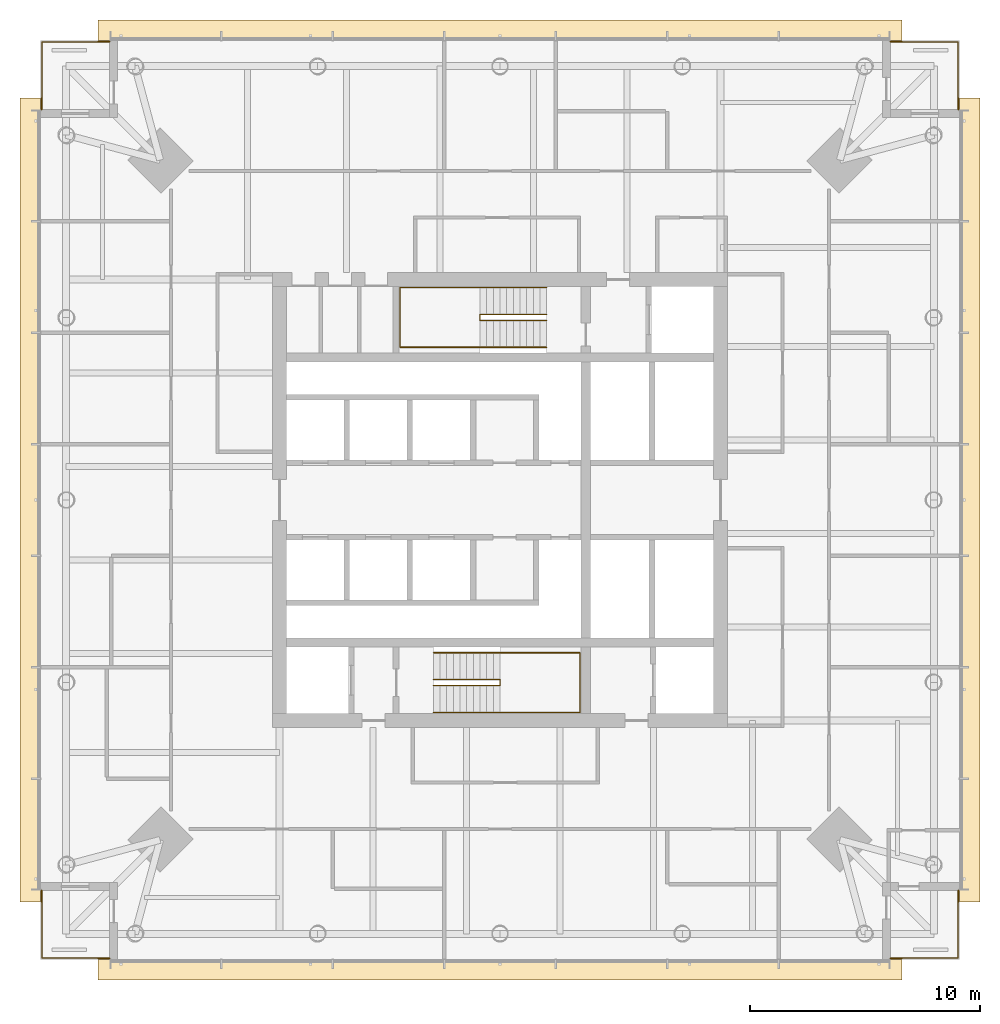
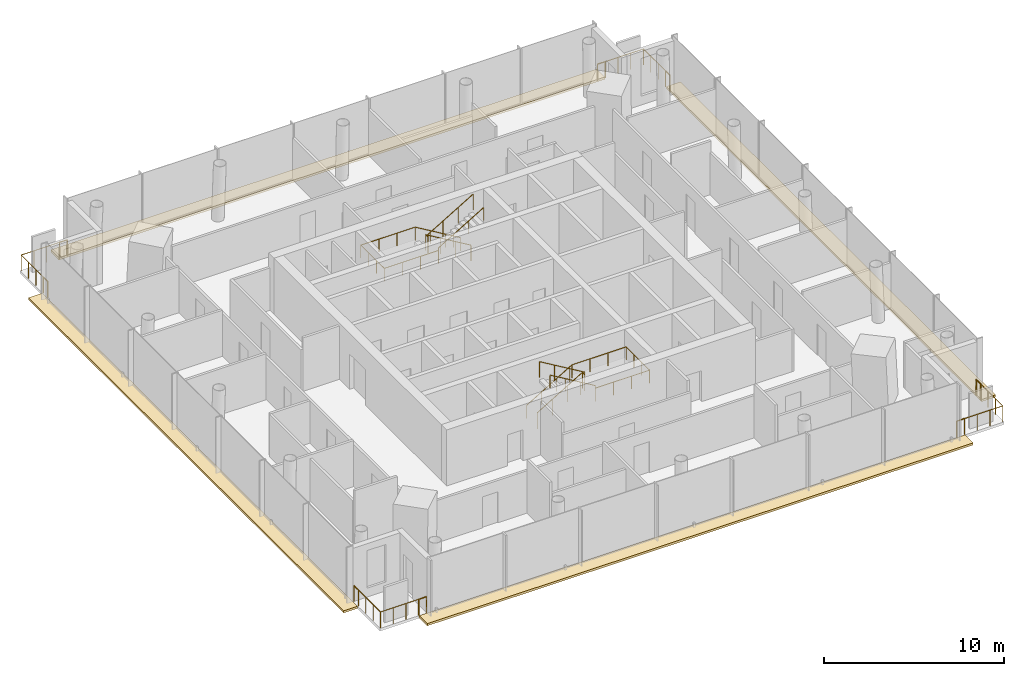
# One storey, part 10 of 10: 16 railings, 4 coverings.
"""IFC4 building model written with IfcOpenShell, lengths in metres."""

import ifcopenshell
import ifcopenshell.guid

model = None  # the IFC model being written
_history = None  # IfcOwnerHistory: only IFC2X3 demands one
_inside = {}  # id of a spatial element -> (the spatial element, [elements in it])
_under = {}  # id of a project, library or spatial element -> (it, [spatial elements below it])
_declared = {}  # id of a project -> (the project, [libraries it declares])
_typed = {}  # id of a type object -> (the type object, [elements of that type])
_made_of = {}  # id of a material, layer set ... -> (it, [elements and type objects made of it])


def new_model(schema):
    """Start an empty IFC model of exactly this schema.

    Asked for "IFC4X3", IfcOpenShell would pick the latest addendum, in which some entities
    have other attributes; the version numbers below select the first issue.
    IFC2X3 requires an IfcOwnerHistory on every rooted entity: one is made here for all.
    """
    global model, _history
    if schema == "IFC4X3":
        model = ifcopenshell.file(schema_version=(4, 3, 0, 0))
    else:
        model = ifcopenshell.file(schema=schema)
    _inside.clear()
    _under.clear()
    _declared.clear()
    _typed.clear()
    _made_of.clear()
    _history = None
    if model.schema == "IFC2X3":
        org = make("IfcOrganization", Name="unknown")
        user = make(
            "IfcPersonAndOrganization",
            ThePerson=make("IfcPerson", FamilyName="unknown"),
            TheOrganization=org,
        )
        app = make(
            "IfcApplication",
            ApplicationDeveloper=org,
            Version="unknown",
            ApplicationFullName="unknown",
            ApplicationIdentifier="unknown",
        )
        _history = make(
            "IfcOwnerHistory",
            OwningUser=user,
            OwningApplication=app,
            ChangeAction="ADDED",
            CreationDate=0,
        )
    return model


def make(cls, **values):
    """One entity of the class cls with the attributes given. An attribute that is None is left unset."""
    return model.create_entity(
        cls, **{name: value for name, value in values.items() if value is not None}
    )


def rooted(cls, **values):
    """An entity with a GlobalId (a new one), such as an element, a storey or a relation."""
    return make(cls, GlobalId=ifcopenshell.guid.new(), OwnerHistory=_history, **values)


def si_unit(unit_type, name, prefix=None):
    """IfcSIUnit, for example si_unit("LENGTHUNIT", "METRE", prefix="MILLI")."""
    return make("IfcSIUnit", UnitType=unit_type, Prefix=prefix, Name=name)


def assignment(units):
    """IfcUnitAssignment: the units of a project."""
    return None if units is None else make("IfcUnitAssignment", Units=units)


def point(xyz):
    """IfcCartesianPoint."""
    return None if xyz is None else make("IfcCartesianPoint", Coordinates=xyz)


def direction(xyz):
    """IfcDirection."""
    return None if xyz is None else make("IfcDirection", DirectionRatios=xyz)


def frame(location, z_axis=None, x_axis=None):
    """IfcAxis2Placement3D, a coordinate frame: its origin and axes. An axis left out is left unset."""
    return make(
        "IfcAxis2Placement3D",
        Location=point(location),
        Axis=direction(z_axis),
        RefDirection=direction(x_axis),
    )


def frame_2d(location, x_axis=None):
    """IfcAxis2Placement2D, a coordinate frame in the plane: its origin and x axis."""
    return make(
        "IfcAxis2Placement2D", Location=point(location), RefDirection=direction(x_axis)
    )


def origin():
    """The frame at (0, 0, 0) with its axes left unset."""
    return frame((0.0, 0.0, 0.0))


def origin_2d():
    """The frame at (0, 0) in the plane with its x axis left unset."""
    return frame_2d((0.0, 0.0))


def place(relative_to, where):
    """IfcLocalPlacement: puts the frame where relative to a parent placement (None: the world)."""
    return make(
        "IfcLocalPlacement", PlacementRelTo=relative_to, RelativePlacement=where
    )


def context(
    kind, dimensions, precision=None, world=None, true_north=None, identifier=None
):
    """IfcGeometricRepresentationContext, for example the 3D "Model" context."""
    return make(
        "IfcGeometricRepresentationContext",
        ContextIdentifier=identifier,
        ContextType=kind,
        CoordinateSpaceDimension=dimensions,
        Precision=precision,
        WorldCoordinateSystem=world,
        TrueNorth=true_north,
    )


def subcontext(parent, identifier, kind, view, scale=None):
    """IfcGeometricRepresentationSubContext, for example "Body" below "Model"."""
    return make(
        "IfcGeometricRepresentationSubContext",
        ContextIdentifier=identifier,
        ContextType=kind,
        ParentContext=parent,
        TargetScale=scale,
        TargetView=view,
    )


def project(units=None, contexts=None):
    """IfcProject with its units and contexts."""
    return rooted(
        "IfcProject",
        Name="project",
        RepresentationContexts=contexts,
        UnitsInContext=assignment(units),
    )


def spatial(cls, under=None, at=None, **own):
    """A site, building, storey or space (cls), placed at a placement, below another one or the project."""
    s = rooted(cls, ObjectPlacement=at, **own)
    if under is not None:
        _under.setdefault(under.id(), (under, []))[1].append(s)
    return s


def polyline(points):
    """IfcPolyline through the points."""
    return make("IfcPolyline", Points=[point(p) for p in points])


def profile(cls, at=None, kind="AREA", **sizes):
    """A parametric profile (cls). Its sizes go by their IFC names, for example OverallWidth=200.0."""
    return make(cls, ProfileType=kind, Position=at, **sizes)


def circle(**sizes):
    """IfcCircleProfileDef."""
    return profile("IfcCircleProfileDef", **sizes)


def outline(outer, holes=None, kind="AREA"):
    """IfcArbitraryClosedProfileDef: a profile drawn as a closed curve; with holes, ...WithVoids."""
    if holes is None:
        return make("IfcArbitraryClosedProfileDef", ProfileType=kind, OuterCurve=outer)
    return make(
        "IfcArbitraryProfileDefWithVoids",
        ProfileType=kind,
        OuterCurve=outer,
        InnerCurves=holes,
    )


def extrude(swept, where, along, depth):
    """IfcExtrudedAreaSolid: the profile swept, set in the frame where, extruded along a direction by depth."""
    return make(
        "IfcExtrudedAreaSolid",
        SweptArea=swept,
        Position=where,
        ExtrudedDirection=direction(along),
        Depth=depth,
    )


def shape(context_of_items, identifier, shape_type, items):
    """IfcShapeRepresentation: the items that make up one representation, for example the "Body"."""
    return make(
        "IfcShapeRepresentation",
        ContextOfItems=context_of_items,
        RepresentationIdentifier=identifier,
        RepresentationType=shape_type,
        Items=items,
    )


def material(Name=None, Category=None):
    """IfcMaterial."""
    return make("IfcMaterial", Name=Name, Category=Category)


def layer(
    of_material, thickness, ventilated=None, Name=None, Category=None, Priority=None
):
    """IfcMaterialLayer: one layer of a wall or slab, of a material (None: an air gap)."""
    return make(
        "IfcMaterialLayer",
        Material=of_material,
        LayerThickness=thickness,
        IsVentilated=ventilated,
        Name=Name,
        Category=Category,
        Priority=Priority,
    )


def layer_set(layers, Name=None):
    """IfcMaterialLayerSet."""
    return make("IfcMaterialLayerSet", MaterialLayers=layers, LayerSetName=Name)


def made_of(thing, what):
    """Note that an element or type object is made of a material, layer set ...; save() writes the relation."""
    if what is not None:
        _made_of.setdefault(what.id(), (what, []))[1].append(thing)
    return thing


def type_object(cls, material=None, **own):
    """A type object (cls), such as IfcWallType, which elements share."""
    return made_of(rooted(cls, **own), material)


def element(
    cls,
    number,
    at=None,
    inside=None,
    cuts=None,
    type_object=None,
    material=None,
    context=None,
    identifier="Body",
    shape_type=None,
    held_by="IfcProductDefinitionShape",
    body=None,
    shapes=None,
    **own,
):
    """One element of the class cls, such as IfcWall. Its Tag is "e" and its number.

    at: its placement. inside: the storey or other place that contains it. cuts: it is an
    opening in that element (IfcRelVoidsElement). A single representation is given by context,
    identifier, shape_type and body (its items); several are given by shapes. held_by: the class
    of the entity that holds the representations. save() writes the other relations.
    """
    e = rooted(cls, Tag="e%d" % number, ObjectPlacement=at, **own)
    if body is not None:
        shapes = [shape(context, identifier, shape_type, body)]
    if shapes is not None:
        e.Representation = make(held_by, Representations=shapes)
    if inside is not None:
        _inside.setdefault(inside.id(), (inside, []))[1].append(e)
    if cuts is not None:
        rooted(
            "IfcRelVoidsElement", RelatingBuildingElement=cuts, RelatedOpeningElement=e
        )
    if type_object is not None:
        _typed.setdefault(type_object.id(), (type_object, []))[1].append(e)
    return made_of(e, material)


def aggregate(whole, parts):
    """IfcRelAggregates: a whole, such as a stair, and the parts it consists of."""
    return rooted("IfcRelAggregates", RelatingObject=whole, RelatedObjects=parts)


def save(model, path):
    """Write the relations noted so far, then the file.

    IfcRelAggregates (storeys below a building ...), IfcRelContainedInSpatialStructure (elements
    in a storey), IfcRelDefinesByType, IfcRelAssociatesMaterial and IfcRelDeclares: one each for
    every whole, place, type object, material and project.
    """
    for whole, parts in _under.values():
        aggregate(whole, parts)
    for where, things in _inside.values():
        rooted(
            "IfcRelContainedInSpatialStructure",
            RelatedElements=things,
            RelatingStructure=where,
        )
    for kind, things in _typed.values():
        rooted("IfcRelDefinesByType", RelatedObjects=things, RelatingType=kind)
    for what, things in _made_of.values():
        rooted("IfcRelAssociatesMaterial", RelatedObjects=things, RelatingMaterial=what)
    for by, libraries in _declared.values():
        rooted("IfcRelDeclares", RelatingContext=by, RelatedDefinitions=libraries)
    model.write(path)


model = new_model("IFC4")

# Units and contexts
model_context = context("Model", 3, precision=1e-05, world=origin(), true_north=direction((0.0, 1.0)))
body_context = subcontext(model_context, "Body", "Model", "MODEL_VIEW")
ifc_project = project(units=[si_unit("LENGTHUNIT", "METRE"), si_unit("AREAUNIT", "SQUARE_METRE"), si_unit("VOLUMEUNIT", "CUBIC_METRE"), si_unit("PLANEANGLEUNIT", "RADIAN"), si_unit("MASSUNIT", "GRAM", prefix="KILO")], contexts=[model_context])

# Site, building, storey
site_placement = place(None, origin())
site = spatial("IfcSite", under=ifc_project, at=site_placement, CompositionType="ELEMENT")
building_placement = place(site_placement, origin())
building = spatial("IfcBuilding", under=site, at=building_placement, Name="Ostroluk Exchange", CompositionType="ELEMENT")
storey_placement = place(building_placement, frame((0.0, 0.0, 180.60009765625)))
storey = spatial("IfcBuildingStorey", under=building, at=storey_placement, Name="L46", CompositionType="ELEMENT", Elevation=180.60009765625)

# Railings
ifc_material_1 = material(Name="Stainless steel", Category="steel")
railing_type_1 = type_object("IfcRailingType", Name="Guard 1100 stainless steel", PredefinedType="GUARDRAIL", material=ifc_material_1)
railing_1_placement = place(storey_placement, frame((62.5, 26.050048828125, 0.0)))
element("IfcRailing", 1, at=railing_1_placement, inside=storey, type_object=railing_type_1, Name="Office tower SE balcony guard L46", PredefinedType="GUARDRAIL", context=body_context, shape_type="SweptSolid", body=[
    extrude(circle(Radius=0.02392578125, at=origin_2d()), frame((0.0, 0.0, 1.076171875), z_axis=(1.0, 0.0, 0.0), x_axis=(0.0, 1.0, 0.0)), (0.0, 0.0, 1.0), 2.449951171875),
    extrude(circle(Radius=0.02392578125, at=origin_2d()), frame((2.449951171875, 0.0, 1.076171875), z_axis=(0.0, 1.0, 0.0), x_axis=(-1.0, 0.0, 0.0)), (0.0, 0.0, 1.0), 2.449951171875),
    extrude(circle(Radius=0.02099609375, at=origin_2d()), origin(), (0.0, 0.0, 1.0), 1.052001953125),
    extrude(circle(Radius=0.02099609375, at=origin_2d()), frame((0.816650390625, 0.0, 0.0)), (0.0, 0.0, 1.0), 1.052001953125),
    extrude(circle(Radius=0.02099609375, at=origin_2d()), frame((1.63330078125, 0.0, 0.0)), (0.0, 0.0, 1.0), 1.052001953125),
    extrude(circle(Radius=0.02099609375, at=origin_2d()), frame((2.449951171875, 0.0, 0.0)), (0.0, 0.0, 1.0), 1.052001953125),
    extrude(circle(Radius=0.02099609375, at=origin_2d()), frame((2.449951171875, 0.816650390625, 0.0)), (0.0, 0.0, 1.0), 1.052001953125),
    extrude(circle(Radius=0.02099609375, at=origin_2d()), frame((2.449951171875, 1.63330078125, 0.0)), (0.0, 0.0, 1.0), 1.052001953125),
    extrude(circle(Radius=0.02099609375, at=origin_2d()), frame((2.449951171875, 2.449951171875, 0.0)), (0.0, 0.0, 1.0), 1.052001953125),
])
railing_2_placement = place(storey_placement, frame((62.5, 65.949951171875, 0.0)))
element("IfcRailing", 2, at=railing_2_placement, inside=storey, type_object=railing_type_1, Name="Office tower NE balcony guard L46", PredefinedType="GUARDRAIL", context=body_context, shape_type="SweptSolid", body=[
    extrude(circle(Radius=0.02392578125, at=origin_2d()), frame((0.0, 0.0, 1.076171875), z_axis=(1.0, 0.0, 0.0), x_axis=(0.0, 1.0, 0.0)), (0.0, 0.0, 1.0), 2.449951171875),
    extrude(circle(Radius=0.02392578125, at=origin_2d()), frame((2.449951171875, 0.0, 1.076171875), z_axis=(0.0, -1.0, 0.0), x_axis=(1.0, 0.0, 0.0)), (0.0, 0.0, 1.0), 2.449951171875),
    extrude(circle(Radius=0.02099609375, at=origin_2d()), origin(), (0.0, 0.0, 1.0), 1.052001953125),
    extrude(circle(Radius=0.02099609375, at=origin_2d()), frame((0.816650390625, 0.0, 0.0)), (0.0, 0.0, 1.0), 1.052001953125),
    extrude(circle(Radius=0.02099609375, at=origin_2d()), frame((1.63330078125, 0.0, 0.0)), (0.0, 0.0, 1.0), 1.052001953125),
    extrude(circle(Radius=0.02099609375, at=origin_2d()), frame((2.449951171875, 0.0, 0.0)), (0.0, 0.0, 1.0), 1.052001953125),
    extrude(circle(Radius=0.02099609375, at=origin_2d()), frame((2.449951171875, -0.816650390625, 0.0)), (0.0, 0.0, 1.0), 1.052001953125),
    extrude(circle(Radius=0.02099609375, at=origin_2d()), frame((2.449951171875, -1.63330078125, 0.0)), (0.0, 0.0, 1.0), 1.052001953125),
    extrude(circle(Radius=0.02099609375, at=origin_2d()), frame((2.449951171875, -2.449951171875, 0.0)), (0.0, 0.0, 1.0), 1.052001953125),
])
railing_3_placement = place(storey_placement, frame((27.5, 65.949951171875, 0.0)))
element("IfcRailing", 3, at=railing_3_placement, inside=storey, type_object=railing_type_1, Name="Office tower NW balcony guard L46", PredefinedType="GUARDRAIL", context=body_context, shape_type="SweptSolid", body=[
    extrude(circle(Radius=0.02392578125, at=origin_2d()), frame((0.0, 0.0, 1.076171875), z_axis=(-1.0, 0.0, 0.0), x_axis=(0.0, -1.0, 0.0)), (0.0, 0.0, 1.0), 2.449951171875),
    extrude(circle(Radius=0.02392578125, at=origin_2d()), frame((-2.449951171875, 0.0, 1.076171875), z_axis=(0.0, -1.0, 0.0), x_axis=(1.0, 0.0, 0.0)), (0.0, 0.0, 1.0), 2.449951171875),
    extrude(circle(Radius=0.02099609375, at=origin_2d()), origin(), (0.0, 0.0, 1.0), 1.052001953125),
    extrude(circle(Radius=0.02099609375, at=origin_2d()), frame((-0.816650390625, 0.0, 0.0)), (0.0, 0.0, 1.0), 1.052001953125),
    extrude(circle(Radius=0.02099609375, at=origin_2d()), frame((-1.63330078125, 0.0, 0.0)), (0.0, 0.0, 1.0), 1.052001953125),
    extrude(circle(Radius=0.02099609375, at=origin_2d()), frame((-2.449951171875, 0.0, 0.0)), (0.0, 0.0, 1.0), 1.052001953125),
    extrude(circle(Radius=0.02099609375, at=origin_2d()), frame((-2.449951171875, -0.816650390625, 0.0)), (0.0, 0.0, 1.0), 1.052001953125),
    extrude(circle(Radius=0.02099609375, at=origin_2d()), frame((-2.449951171875, -1.63330078125, 0.0)), (0.0, 0.0, 1.0), 1.052001953125),
    extrude(circle(Radius=0.02099609375, at=origin_2d()), frame((-2.449951171875, -2.449951171875, 0.0)), (0.0, 0.0, 1.0), 1.052001953125),
])
railing_4_placement = place(storey_placement, frame((27.5, 26.050048828125, 0.0)))
element("IfcRailing", 4, at=railing_4_placement, inside=storey, type_object=railing_type_1, Name="Office tower SW balcony guard L46", PredefinedType="GUARDRAIL", context=body_context, shape_type="SweptSolid", body=[
    extrude(circle(Radius=0.02392578125, at=origin_2d()), frame((0.0, 0.0, 1.076171875), z_axis=(-1.0, 0.0, 0.0), x_axis=(0.0, -1.0, 0.0)), (0.0, 0.0, 1.0), 2.449951171875),
    extrude(circle(Radius=0.02392578125, at=origin_2d()), frame((-2.449951171875, 0.0, 1.076171875), z_axis=(0.0, 1.0, 0.0), x_axis=(-1.0, 0.0, 0.0)), (0.0, 0.0, 1.0), 2.449951171875),
    extrude(circle(Radius=0.02099609375, at=origin_2d()), origin(), (0.0, 0.0, 1.0), 1.052001953125),
    extrude(circle(Radius=0.02099609375, at=origin_2d()), frame((-0.816650390625, 0.0, 0.0)), (0.0, 0.0, 1.0), 1.052001953125),
    extrude(circle(Radius=0.02099609375, at=origin_2d()), frame((-1.63330078125, 0.0, 0.0)), (0.0, 0.0, 1.0), 1.052001953125),
    extrude(circle(Radius=0.02099609375, at=origin_2d()), frame((-2.449951171875, 0.0, 0.0)), (0.0, 0.0, 1.0), 1.052001953125),
    extrude(circle(Radius=0.02099609375, at=origin_2d()), frame((-2.449951171875, 0.816650390625, 0.0)), (0.0, 0.0, 1.0), 1.052001953125),
    extrude(circle(Radius=0.02099609375, at=origin_2d()), frame((-2.449951171875, 1.63330078125, 0.0)), (0.0, 0.0, 1.0), 1.052001953125),
    extrude(circle(Radius=0.02099609375, at=origin_2d()), frame((-2.449951171875, 2.449951171875, 0.0)), (0.0, 0.0, 1.0), 1.052001953125),
])
ifc_material_2 = material(Name="Stainless steel", Category="steel")
railing_type_2 = type_object("IfcRailingType", Name="Lockable maintenance gate 1100", PredefinedType="GUARDRAIL", material=ifc_material_2)
railing_5_placement = place(storey_placement, frame((62.0, 26.050048828125, 0.0)))
element("IfcRailing", 5, at=railing_5_placement, inside=storey, type_object=railing_type_2, Name="Lockable maintenance gate T1 L46 SE", PredefinedType="GUARDRAIL", context=body_context, shape_type="SweptSolid", body=[
    extrude(circle(Radius=0.02392578125, at=origin_2d()), frame((0.0, 0.0, 1.076171875), z_axis=(1.0, 0.0, 0.0), x_axis=(0.0, 1.0, 0.0)), (0.0, 0.0, 1.0), 0.5),
    extrude(circle(Radius=0.02099609375, at=origin_2d()), origin(), (0.0, 0.0, 1.0), 1.052001953125),
    extrude(circle(Radius=0.02099609375, at=origin_2d()), frame((0.5, 0.0, 0.0)), (0.0, 0.0, 1.0), 1.052001953125),
])
railing_6_placement = place(storey_placement, frame((64.949951171875, 28.5, 0.0)))
element("IfcRailing", 6, at=railing_6_placement, inside=storey, type_object=railing_type_2, Name="Lockable maintenance gate T1 L46 SE", PredefinedType="GUARDRAIL", context=body_context, shape_type="SweptSolid", body=[
    extrude(circle(Radius=0.02392578125, at=origin_2d()), frame((0.0, 0.0, 1.076171875), z_axis=(0.0, 1.0, 0.0), x_axis=(-1.0, 0.0, 0.0)), (0.0, 0.0, 1.0), 0.5),
    extrude(circle(Radius=0.02099609375, at=origin_2d()), origin(), (0.0, 0.0, 1.0), 1.052001953125),
    extrude(circle(Radius=0.02099609375, at=origin_2d()), frame((0.0, 0.5, 0.0)), (0.0, 0.0, 1.0), 1.052001953125),
])
railing_7_placement = place(storey_placement, frame((62.0, 65.949951171875, 0.0)))
element("IfcRailing", 7, at=railing_7_placement, inside=storey, type_object=railing_type_2, Name="Lockable maintenance gate T1 L46 NE", PredefinedType="GUARDRAIL", context=body_context, shape_type="SweptSolid", body=[
    extrude(circle(Radius=0.02392578125, at=origin_2d()), frame((0.0, 0.0, 1.076171875), z_axis=(1.0, 0.0, 0.0), x_axis=(0.0, 1.0, 0.0)), (0.0, 0.0, 1.0), 0.5),
    extrude(circle(Radius=0.02099609375, at=origin_2d()), origin(), (0.0, 0.0, 1.0), 1.052001953125),
    extrude(circle(Radius=0.02099609375, at=origin_2d()), frame((0.5, 0.0, 0.0)), (0.0, 0.0, 1.0), 1.052001953125),
])
railing_8_placement = place(storey_placement, frame((64.949951171875, 63.5, 0.0)))
element("IfcRailing", 8, at=railing_8_placement, inside=storey, type_object=railing_type_2, Name="Lockable maintenance gate T1 L46 NE", PredefinedType="GUARDRAIL", context=body_context, shape_type="SweptSolid", body=[
    extrude(circle(Radius=0.02392578125, at=origin_2d()), frame((0.0, 0.0, 1.076171875), z_axis=(0.0, -1.0, 0.0), x_axis=(1.0, 0.0, 0.0)), (0.0, 0.0, 1.0), 0.5),
    extrude(circle(Radius=0.02099609375, at=origin_2d()), origin(), (0.0, 0.0, 1.0), 1.052001953125),
    extrude(circle(Radius=0.02099609375, at=origin_2d()), frame((0.0, -0.5, 0.0)), (0.0, 0.0, 1.0), 1.052001953125),
])
railing_9_placement = place(storey_placement, frame((28.0, 65.949951171875, 0.0)))
element("IfcRailing", 9, at=railing_9_placement, inside=storey, type_object=railing_type_2, Name="Lockable maintenance gate T1 L46 NW", PredefinedType="GUARDRAIL", context=body_context, shape_type="SweptSolid", body=[
    extrude(circle(Radius=0.02392578125, at=origin_2d()), frame((0.0, 0.0, 1.076171875), z_axis=(-1.0, 0.0, 0.0), x_axis=(0.0, -1.0, 0.0)), (0.0, 0.0, 1.0), 0.5),
    extrude(circle(Radius=0.02099609375, at=origin_2d()), origin(), (0.0, 0.0, 1.0), 1.052001953125),
    extrude(circle(Radius=0.02099609375, at=origin_2d()), frame((-0.5, 0.0, 0.0)), (0.0, 0.0, 1.0), 1.052001953125),
])
railing_10_placement = place(storey_placement, frame((25.050048828125, 63.5, 0.0)))
element("IfcRailing", 10, at=railing_10_placement, inside=storey, type_object=railing_type_2, Name="Lockable maintenance gate T1 L46 NW", PredefinedType="GUARDRAIL", context=body_context, shape_type="SweptSolid", body=[
    extrude(circle(Radius=0.02392578125, at=origin_2d()), frame((0.0, 0.0, 1.076171875), z_axis=(0.0, -1.0, 0.0), x_axis=(1.0, 0.0, 0.0)), (0.0, 0.0, 1.0), 0.5),
    extrude(circle(Radius=0.02099609375, at=origin_2d()), origin(), (0.0, 0.0, 1.0), 1.052001953125),
    extrude(circle(Radius=0.02099609375, at=origin_2d()), frame((0.0, -0.5, 0.0)), (0.0, 0.0, 1.0), 1.052001953125),
])
railing_11_placement = place(storey_placement, frame((28.0, 26.050048828125, 0.0)))
element("IfcRailing", 11, at=railing_11_placement, inside=storey, type_object=railing_type_2, Name="Lockable maintenance gate T1 L46 SW", PredefinedType="GUARDRAIL", context=body_context, shape_type="SweptSolid", body=[
    extrude(circle(Radius=0.02392578125, at=origin_2d()), frame((0.0, 0.0, 1.076171875), z_axis=(-1.0, 0.0, 0.0), x_axis=(0.0, -1.0, 0.0)), (0.0, 0.0, 1.0), 0.5),
    extrude(circle(Radius=0.02099609375, at=origin_2d()), origin(), (0.0, 0.0, 1.0), 1.052001953125),
    extrude(circle(Radius=0.02099609375, at=origin_2d()), frame((-0.5, 0.0, 0.0)), (0.0, 0.0, 1.0), 1.052001953125),
])
railing_12_placement = place(storey_placement, frame((25.050048828125, 28.5, 0.0)))
element("IfcRailing", 12, at=railing_12_placement, inside=storey, type_object=railing_type_2, Name="Lockable maintenance gate T1 L46 SW", PredefinedType="GUARDRAIL", context=body_context, shape_type="SweptSolid", body=[
    extrude(circle(Radius=0.02392578125, at=origin_2d()), frame((0.0, 0.0, 1.076171875), z_axis=(0.0, 1.0, 0.0), x_axis=(-1.0, 0.0, 0.0)), (0.0, 0.0, 1.0), 0.5),
    extrude(circle(Radius=0.02099609375, at=origin_2d()), origin(), (0.0, 0.0, 1.0), 1.052001953125),
    extrude(circle(Radius=0.02099609375, at=origin_2d()), frame((0.0, 0.5, 0.0)), (0.0, 0.0, 1.0), 1.052001953125),
])

# Coverings
ifc_material_3 = material(Name="Insulated steel roof deck with membrane, laid to falls, aluminium coping", Category="steel")
ifc_layer = layer(ifc_material_3, 0.14990234375)
ifc_layer_set = layer_set([ifc_layer], Name="Setback maintenance roof")
covering_type = type_object("IfcCoveringType", Name="Setback maintenance roof", PredefinedType="ROOFING", material=ifc_layer_set)
covering_1_placement = place(storey_placement, frame((0.0, 0.0, -0.150146484375)))
element("IfcCovering", 13, at=covering_1_placement, inside=storey, type_object=covering_type, Name="Maintenance roof, setback L46 south", PredefinedType="ROOFING", context=body_context, shape_type="SweptSolid", body=[
    extrude(outline(polyline([(27.5, 26.0), (62.5, 26.0), (62.5, 25.10009765625), (27.5, 25.10009765625), (27.5, 26.0)])), origin(), (0.0, 0.0, 1.0), 0.150146484375),
])
covering_2_placement = place(storey_placement, frame((0.0, 0.0, -0.150146484375)))
element("IfcCovering", 14, at=covering_2_placement, inside=storey, type_object=covering_type, Name="Maintenance roof, setback L46 east", PredefinedType="ROOFING", context=body_context, shape_type="SweptSolid", body=[
    extrude(outline(polyline([(65.0, 63.5), (65.89990234375, 63.5), (65.89990234375, 28.5), (65.0, 28.5), (65.0, 63.5)])), origin(), (0.0, 0.0, 1.0), 0.150146484375),
])
covering_3_placement = place(storey_placement, frame((0.0, 0.0, -0.150146484375)))
element("IfcCovering", 15, at=covering_3_placement, inside=storey, type_object=covering_type, Name="Maintenance roof, setback L46 north", PredefinedType="ROOFING", context=body_context, shape_type="SweptSolid", body=[
    extrude(outline(polyline([(27.5, 66.89990234375), (62.5, 66.89990234375), (62.5, 66.0), (27.5, 66.0), (27.5, 66.89990234375)])), origin(), (0.0, 0.0, 1.0), 0.150146484375),
])
covering_4_placement = place(storey_placement, frame((0.0, 0.0, -0.150146484375)))
element("IfcCovering", 16, at=covering_4_placement, inside=storey, type_object=covering_type, Name="Maintenance roof, setback L46 west", PredefinedType="ROOFING", context=body_context, shape_type="SweptSolid", body=[
    extrude(outline(polyline([(24.10009765625, 63.5), (25.0, 63.5), (25.0, 28.5), (24.10009765625, 28.5), (24.10009765625, 63.5)])), origin(), (0.0, 0.0, 1.0), 0.150146484375),
])

# Railings
ifc_material_4 = material(Name="Steel S355", Category="steel")
railing_type_3 = type_object("IfcRailingType", Name="Stair guard 1100", PredefinedType="GUARDRAIL", material=ifc_material_4)
railing_13_placement = place(storey_placement, frame((42.10009765625, 38.179931640625, 0.172607421875)))
element("IfcRailing", 17, at=railing_13_placement, inside=storey, type_object=railing_type_3, Name="Stair T1-S1 guard L46", PredefinedType="GUARDRAIL", context=body_context, shape_type="SweptSolid", body=[
    extrude(circle(Radius=0.02392578125, at=origin_2d()), frame((0.0, 0.0, 1.076171875), z_axis=(0.859141464434, 0.0, 0.511738159696), x_axis=(0.0, 1.0, 0.0)), (0.0, 0.0, 1.0), 3.375244140625),
    extrude(circle(Radius=0.02392578125, at=origin_2d()), frame((2.89990234375, 0.0, 2.80322265625), z_axis=(0.0, -1.0, 0.0), x_axis=(1.0, 0.0, 0.0)), (0.0, 0.0, 1.0), 0.260009765625),
    extrude(circle(Radius=0.02392578125, at=origin_2d()), frame((2.89990234375, -0.260009765625, 2.80322265625), z_axis=(0.0, 0.0, 1.0), x_axis=(1.0, 0.0, 0.0)), (0.0, 0.0, 1.0), 0.172607421875),
    extrude(circle(Radius=0.02392578125, at=origin_2d()), frame((2.89990234375, -0.260009765625, 2.97607421875), z_axis=(-0.859141464434, 0.0, 0.511738159696), x_axis=(0.0, -1.0, 0.0)), (0.0, 0.0, 1.0), 3.375244140625),
    extrude(circle(Radius=0.02099609375, at=origin_2d()), origin(), (0.0, 0.0, 1.0), 1.052001953125),
    extrude(circle(Radius=0.02099609375, at=origin_2d()), frame((0.966552734375, 0.0, 0.57568359375)), (0.0, 0.0, 1.0), 1.052001953125),
    extrude(circle(Radius=0.02099609375, at=origin_2d()), frame((1.933349609375, 0.0, 1.151611328125)), (0.0, 0.0, 1.0), 1.052001953125),
    extrude(circle(Radius=0.02099609375, at=origin_2d()), frame((2.89990234375, 0.0, 1.727294921875)), (0.0, 0.0, 1.0), 1.052001953125),
    extrude(circle(Radius=0.02099609375, at=origin_2d()), frame((2.89990234375, -0.260009765625, 1.727294921875)), (0.0, 0.0, 1.0), 1.052001953125),
    extrude(circle(Radius=0.02099609375, at=origin_2d()), frame((2.89990234375, -0.260009765625, 1.89990234375)), (0.0, 0.0, 1.0), 1.052001953125),
    extrude(circle(Radius=0.02099609375, at=origin_2d()), frame((1.933349609375, -0.260009765625, 2.4755859375)), (0.0, 0.0, 1.0), 1.052001953125),
    extrude(circle(Radius=0.02099609375, at=origin_2d()), frame((0.966552734375, -0.260009765625, 3.051513671875)), (0.0, 0.0, 1.0), 1.052001953125),
    extrude(circle(Radius=0.02099609375, at=origin_2d()), frame((0.0, -0.260009765625, 3.627197265625)), (0.0, 0.0, 1.0), 1.052001953125),
])
railing_14_placement = place(storey_placement, frame((47.030029296875, 54.080078125, 0.172607421875)))
element("IfcRailing", 18, at=railing_14_placement, inside=storey, type_object=railing_type_3, Name="Stair T1-S2 guard L46", PredefinedType="GUARDRAIL", context=body_context, shape_type="SweptSolid", body=[
    extrude(circle(Radius=0.02392578125, at=origin_2d()), frame((0.0, 0.0, 1.076171875), z_axis=(-0.859160404282, 0.0, 0.51170636083), x_axis=(0.0, -1.0, 0.0)), (0.0, 0.0, 1.0), 3.37548828125),
    extrude(circle(Radius=0.02392578125, at=origin_2d()), frame((-2.900146484375, 0.0, 2.80322265625), z_axis=(0.0, -1.0, 0.0), x_axis=(1.0, 0.0, 0.0)), (0.0, 0.0, 1.0), 0.260009765625),
    extrude(circle(Radius=0.02392578125, at=origin_2d()), frame((-2.900146484375, -0.260009765625, 2.80322265625), z_axis=(0.0, 0.0, 1.0), x_axis=(1.0, 0.0, 0.0)), (0.0, 0.0, 1.0), 0.172607421875),
    extrude(circle(Radius=0.02392578125, at=origin_2d()), frame((-2.900146484375, -0.260009765625, 2.97607421875), z_axis=(0.859160404282, 0.0, 0.51170636083), x_axis=(0.0, 1.0, 0.0)), (0.0, 0.0, 1.0), 3.37548828125),
    extrude(circle(Radius=0.02099609375, at=origin_2d()), origin(), (0.0, 0.0, 1.0), 1.052001953125),
    extrude(circle(Radius=0.02099609375, at=origin_2d()), frame((-0.966796875, 0.0, 0.57568359375)), (0.0, 0.0, 1.0), 1.052001953125),
    extrude(circle(Radius=0.02099609375, at=origin_2d()), frame((-1.933349609375, 0.0, 1.151611328125)), (0.0, 0.0, 1.0), 1.052001953125),
    extrude(circle(Radius=0.02099609375, at=origin_2d()), frame((-2.900146484375, 0.0, 1.727294921875)), (0.0, 0.0, 1.0), 1.052001953125),
    extrude(circle(Radius=0.02099609375, at=origin_2d()), frame((-2.900146484375, -0.260009765625, 1.727294921875)), (0.0, 0.0, 1.0), 1.052001953125),
    extrude(circle(Radius=0.02099609375, at=origin_2d()), frame((-2.900146484375, -0.260009765625, 1.89990234375)), (0.0, 0.0, 1.0), 1.052001953125),
    extrude(circle(Radius=0.02099609375, at=origin_2d()), frame((-1.933349609375, -0.260009765625, 2.4755859375)), (0.0, 0.0, 1.0), 1.052001953125),
    extrude(circle(Radius=0.02099609375, at=origin_2d()), frame((-0.966796875, -0.260009765625, 3.051513671875)), (0.0, 0.0, 1.0), 1.052001953125),
    extrude(circle(Radius=0.02099609375, at=origin_2d()), frame((0.0, -0.260009765625, 3.627197265625)), (0.0, 0.0, 1.0), 1.052001953125),
])
ifc_material_5 = material(Name="Stainless steel", Category="steel")
railing_type_4 = type_object("IfcRailingType", Name="Stair handrail 900", PredefinedType="HANDRAIL", material=ifc_material_5)
railing_15_placement = place(storey_placement, frame((42.10009765625, 39.35009765625, 0.172607421875)))
element("IfcRailing", 19, at=railing_15_placement, inside=storey, type_object=railing_type_4, Name="Stair T1-S1 handrail L46", PredefinedType="HANDRAIL", context=body_context, shape_type="SweptSolid", body=[
    extrude(circle(Radius=0.02392578125, at=origin_2d()), frame((0.0, 0.0, 0.8759765625), z_axis=(0.859141464434, 0.0, 0.511738159696), x_axis=(0.0, 1.0, 0.0)), (0.0, 0.0, 1.0), 3.375244140625),
    extrude(circle(Radius=0.02392578125, at=origin_2d()), frame((2.89990234375, 0.0, 2.60302734375), z_axis=(1.0, 0.0, 0.0), x_axis=(0.0, 1.0, 0.0)), (0.0, 0.0, 1.0), 3.47998046875),
    extrude(circle(Radius=0.02392578125, at=origin_2d()), frame((6.3798828125, 0.0, 2.60302734375), z_axis=(0.0, -1.0, 0.0), x_axis=(1.0, 0.0, 0.0)), (0.0, 0.0, 1.0), 2.60009765625),
    extrude(circle(Radius=0.02392578125, at=origin_2d()), frame((6.3798828125, -2.60009765625, 2.60302734375), z_axis=(-1.0, 0.0, 0.0), x_axis=(0.0, -1.0, 0.0)), (0.0, 0.0, 1.0), 3.47998046875),
    extrude(circle(Radius=0.02392578125, at=origin_2d()), frame((2.89990234375, -2.60009765625, 2.60302734375), z_axis=(0.0, 0.0, 1.0), x_axis=(1.0, 0.0, 0.0)), (0.0, 0.0, 1.0), 0.172607421875),
    extrude(circle(Radius=0.02392578125, at=origin_2d()), frame((2.89990234375, -2.60009765625, 2.77587890625), z_axis=(-0.859141464434, 0.0, 0.511738159696), x_axis=(0.0, -1.0, 0.0)), (0.0, 0.0, 1.0), 3.375244140625),
    extrude(circle(Radius=0.02099609375, at=origin_2d()), origin(), (0.0, 0.0, 1.0), 0.851806640625),
    extrude(circle(Radius=0.02099609375, at=origin_2d()), frame((0.966552734375, 0.0, 0.57568359375)), (0.0, 0.0, 1.0), 0.851806640625),
    extrude(circle(Radius=0.02099609375, at=origin_2d()), frame((1.933349609375, 0.0, 1.151611328125)), (0.0, 0.0, 1.0), 0.851806640625),
    extrude(circle(Radius=0.02099609375, at=origin_2d()), frame((2.89990234375, 0.0, 1.727294921875)), (0.0, 0.0, 1.0), 0.851806640625),
    extrude(circle(Radius=0.02099609375, at=origin_2d()), frame((4.059814453125, 0.0, 1.727294921875)), (0.0, 0.0, 1.0), 0.851806640625),
    extrude(circle(Radius=0.02099609375, at=origin_2d()), frame((5.219970703125, 0.0, 1.727294921875)), (0.0, 0.0, 1.0), 0.851806640625),
    extrude(circle(Radius=0.02099609375, at=origin_2d()), frame((6.3798828125, 0.0, 1.727294921875)), (0.0, 0.0, 1.0), 0.851806640625),
    extrude(circle(Radius=0.02099609375, at=origin_2d()), frame((6.3798828125, -0.86669921875, 1.727294921875)), (0.0, 0.0, 1.0), 0.851806640625),
    extrude(circle(Radius=0.02099609375, at=origin_2d()), frame((6.3798828125, -1.7333984375, 1.727294921875)), (0.0, 0.0, 1.0), 0.851806640625),
    extrude(circle(Radius=0.02099609375, at=origin_2d()), frame((6.3798828125, -2.60009765625, 1.727294921875)), (0.0, 0.0, 1.0), 0.851806640625),
    extrude(circle(Radius=0.02099609375, at=origin_2d()), frame((5.219970703125, -2.60009765625, 1.727294921875)), (0.0, 0.0, 1.0), 0.851806640625),
    extrude(circle(Radius=0.02099609375, at=origin_2d()), frame((4.059814453125, -2.60009765625, 1.727294921875)), (0.0, 0.0, 1.0), 0.851806640625),
    extrude(circle(Radius=0.02099609375, at=origin_2d()), frame((2.89990234375, -2.60009765625, 1.727294921875)), (0.0, 0.0, 1.0), 0.851806640625),
    extrude(circle(Radius=0.02099609375, at=origin_2d()), frame((2.89990234375, -2.60009765625, 1.89990234375)), (0.0, 0.0, 1.0), 0.851806640625),
    extrude(circle(Radius=0.02099609375, at=origin_2d()), frame((1.933349609375, -2.60009765625, 2.4755859375)), (0.0, 0.0, 1.0), 0.851806640625),
    extrude(circle(Radius=0.02099609375, at=origin_2d()), frame((0.966552734375, -2.60009765625, 3.051513671875)), (0.0, 0.0, 1.0), 0.851806640625),
    extrude(circle(Radius=0.02099609375, at=origin_2d()), frame((0.0, -2.60009765625, 3.627197265625)), (0.0, 0.0, 1.0), 0.851806640625),
])
railing_16_placement = place(storey_placement, frame((47.030029296875, 55.25, 0.172607421875)))
element("IfcRailing", 20, at=railing_16_placement, inside=storey, type_object=railing_type_4, Name="Stair T1-S2 handrail L46", PredefinedType="HANDRAIL", context=body_context, shape_type="SweptSolid", body=[
    extrude(circle(Radius=0.02392578125, at=origin_2d()), frame((0.0, 0.0, 0.8759765625), z_axis=(-0.859160404282, 0.0, 0.51170636083), x_axis=(0.0, -1.0, 0.0)), (0.0, 0.0, 1.0), 3.37548828125),
    extrude(circle(Radius=0.02392578125, at=origin_2d()), frame((-2.900146484375, 0.0, 2.60302734375), z_axis=(-1.0, 0.0, 0.0), x_axis=(0.0, -1.0, 0.0)), (0.0, 0.0, 1.0), 3.47998046875),
    extrude(circle(Radius=0.02392578125, at=origin_2d()), frame((-6.380126953125, 0.0, 2.60302734375), z_axis=(0.0, -1.0, 0.0), x_axis=(1.0, 0.0, 0.0)), (0.0, 0.0, 1.0), 2.60009765625),
    extrude(circle(Radius=0.02392578125, at=origin_2d()), frame((-6.380126953125, -2.60009765625, 2.60302734375), z_axis=(1.0, 0.0, 0.0), x_axis=(0.0, 1.0, 0.0)), (0.0, 0.0, 1.0), 3.47998046875),
    extrude(circle(Radius=0.02392578125, at=origin_2d()), frame((-2.900146484375, -2.60009765625, 2.60302734375), z_axis=(0.0, 0.0, 1.0), x_axis=(1.0, 0.0, 0.0)), (0.0, 0.0, 1.0), 0.172607421875),
    extrude(circle(Radius=0.02392578125, at=origin_2d()), frame((-2.900146484375, -2.60009765625, 2.77587890625), z_axis=(0.859160404282, 0.0, 0.51170636083), x_axis=(0.0, 1.0, 0.0)), (0.0, 0.0, 1.0), 3.37548828125),
    extrude(circle(Radius=0.02099609375, at=origin_2d()), origin(), (0.0, 0.0, 1.0), 0.851806640625),
    extrude(circle(Radius=0.02099609375, at=origin_2d()), frame((-0.966796875, 0.0, 0.57568359375)), (0.0, 0.0, 1.0), 0.851806640625),
    extrude(circle(Radius=0.02099609375, at=origin_2d()), frame((-1.933349609375, 0.0, 1.151611328125)), (0.0, 0.0, 1.0), 0.851806640625),
    extrude(circle(Radius=0.02099609375, at=origin_2d()), frame((-2.900146484375, 0.0, 1.727294921875)), (0.0, 0.0, 1.0), 0.851806640625),
    extrude(circle(Radius=0.02099609375, at=origin_2d()), frame((-4.06005859375, 0.0, 1.727294921875)), (0.0, 0.0, 1.0), 0.851806640625),
    extrude(circle(Radius=0.02099609375, at=origin_2d()), frame((-5.22021484375, 0.0, 1.727294921875)), (0.0, 0.0, 1.0), 0.851806640625),
    extrude(circle(Radius=0.02099609375, at=origin_2d()), frame((-6.380126953125, 0.0, 1.727294921875)), (0.0, 0.0, 1.0), 0.851806640625),
    extrude(circle(Radius=0.02099609375, at=origin_2d()), frame((-6.380126953125, -0.86669921875, 1.727294921875)), (0.0, 0.0, 1.0), 0.851806640625),
    extrude(circle(Radius=0.02099609375, at=origin_2d()), frame((-6.380126953125, -1.7333984375, 1.727294921875)), (0.0, 0.0, 1.0), 0.851806640625),
    extrude(circle(Radius=0.02099609375, at=origin_2d()), frame((-6.380126953125, -2.60009765625, 1.727294921875)), (0.0, 0.0, 1.0), 0.851806640625),
    extrude(circle(Radius=0.02099609375, at=origin_2d()), frame((-5.22021484375, -2.60009765625, 1.727294921875)), (0.0, 0.0, 1.0), 0.851806640625),
    extrude(circle(Radius=0.02099609375, at=origin_2d()), frame((-4.06005859375, -2.60009765625, 1.727294921875)), (0.0, 0.0, 1.0), 0.851806640625),
    extrude(circle(Radius=0.02099609375, at=origin_2d()), frame((-2.900146484375, -2.60009765625, 1.727294921875)), (0.0, 0.0, 1.0), 0.851806640625),
    extrude(circle(Radius=0.02099609375, at=origin_2d()), frame((-2.900146484375, -2.60009765625, 1.89990234375)), (0.0, 0.0, 1.0), 0.851806640625),
    extrude(circle(Radius=0.02099609375, at=origin_2d()), frame((-1.933349609375, -2.60009765625, 2.4755859375)), (0.0, 0.0, 1.0), 0.851806640625),
    extrude(circle(Radius=0.02099609375, at=origin_2d()), frame((-0.966796875, -2.60009765625, 3.051513671875)), (0.0, 0.0, 1.0), 0.851806640625),
    extrude(circle(Radius=0.02099609375, at=origin_2d()), frame((0.0, -2.60009765625, 3.627197265625)), (0.0, 0.0, 1.0), 0.851806640625),
])

save(model, "model.ifc")
